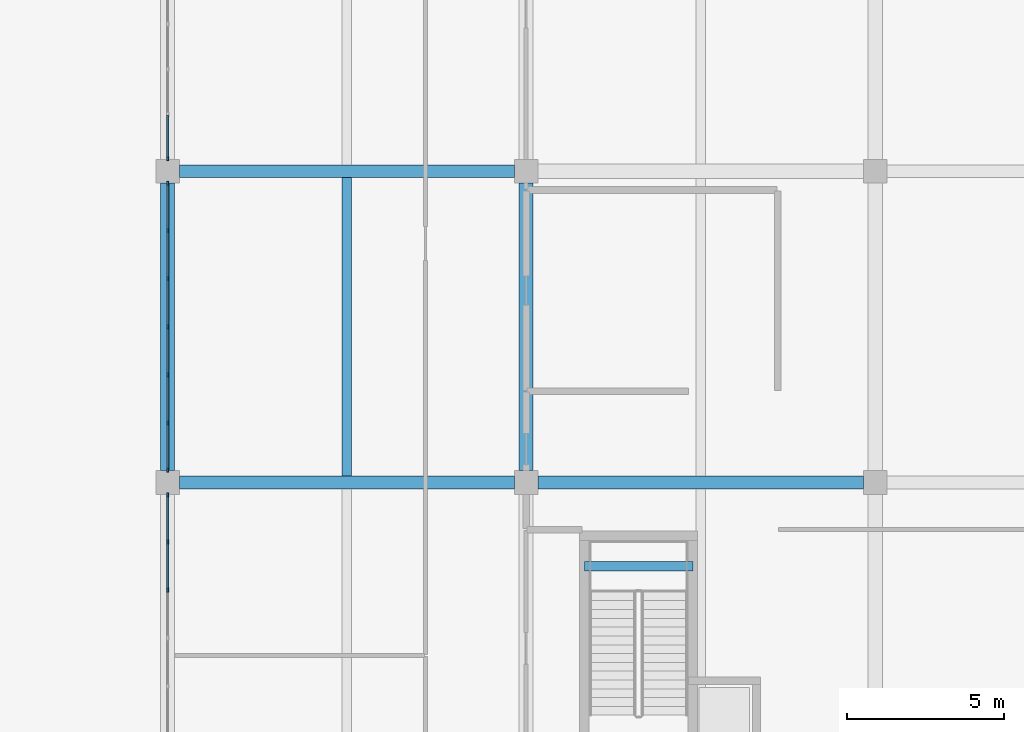
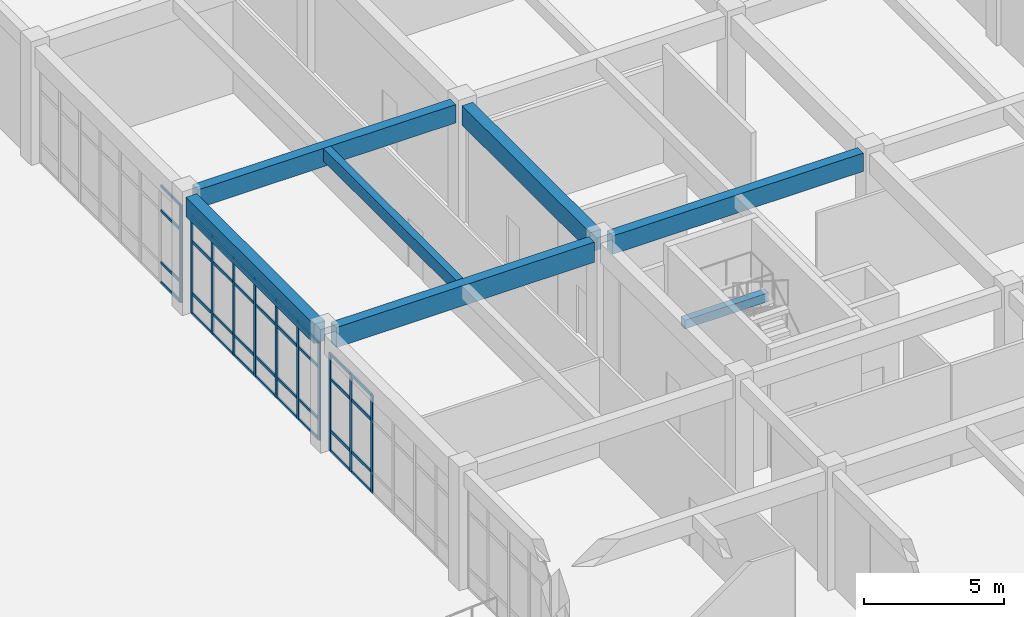
# One storey, part 30 of 70: 47 members, 7 beams, 3 elements without a shape of their own.
"""IFC4 building model written with IfcOpenShell, lengths in metres."""

from ifc_helpers import new_model, si_unit, direction, frame, origin, origin_2d, place, context, subcontext, project, spatial, rectangle, extrude, material, layer, layer_set, material_profile, profile_set, type_object, element, aggregate, save


model = new_model("IFC4")

# Units and contexts
model_context = context("Model", 3, precision=1e-05, world=origin(), true_north=direction((0.0, 1.0)))
body_context = subcontext(model_context, "Body", "Model", "MODEL_VIEW")
ifc_project = project(units=[si_unit("LENGTHUNIT", "METRE"), si_unit("AREAUNIT", "SQUARE_METRE"), si_unit("VOLUMEUNIT", "CUBIC_METRE"), si_unit("PLANEANGLEUNIT", "RADIAN"), si_unit("MASSUNIT", "GRAM", prefix="KILO")], contexts=[model_context])

# Site, building, storey
site_placement = place(None, origin())
site = spatial("IfcSite", under=ifc_project, at=site_placement, CompositionType="ELEMENT")
building_placement = place(site_placement, origin())
building = spatial("IfcBuilding", under=site, at=building_placement, Name="Miralva Faculty of Natural Sciences", CompositionType="ELEMENT")
storey_placement = place(building_placement, origin())
storey = spatial("IfcBuildingStorey", under=building, at=storey_placement, Name="L00", CompositionType="ELEMENT", Elevation=0.0)

# Beams
ifc_material_1 = material(Name="Concrete C40/50", Category="concrete")
ifc_material_profile_1 = material_profile(ifc_material_1, rectangle(XDim=0.449951171875, YDim=0.85009765625, at=origin_2d()), Name="RC 450x850")
ifc_profile_set_1 = profile_set([ifc_material_profile_1], Name="Concrete C40/50")
beam_type_1 = type_object("IfcBeamType", Name="BM-B01", PredefinedType="BEAM", material=ifc_profile_set_1)
for number, where, z_axis, x_axis, name in (
    (1, (133.800048828125, 55.875, 4.695068359375), (0.0, 1.0, 0.0), (-1.0, 0.0, 0.0), "Girder NS L00-180"),
    (2, (145.199951171875, 55.875, 4.695068359375), (0.0, 1.0, 0.0), (-1.0, 0.0, 0.0), "Girder NS L00-192"),
):
    element("IfcBeam", number, at=place(storey_placement, frame(where, z_axis=z_axis, x_axis=x_axis)), inside=storey, type_object=beam_type_1, Name=name, PredefinedType="BEAM", context=body_context, shape_type="SweptSolid", body=[
        extrude(rectangle(XDim=0.449951171875, YDim=0.85009765625, at=origin_2d()), origin(), (0.0, 0.0, 1.0), 9.14990234375),
    ])
ifc_material_profile_2 = material_profile(ifc_material_1, rectangle(XDim=0.39990234375, YDim=0.800048828125, at=origin_2d()), Name="RC 400x800")
ifc_profile_set_2 = profile_set([ifc_material_profile_2], Name="Concrete C40/50")
beam_type_2 = type_object("IfcBeamType", Name="BM-B02", PredefinedType="BEAM", material=ifc_profile_set_2)
beam_1_placement = place(storey_placement, frame((145.574951171875, 55.5, 4.719970703125), z_axis=(1.0, 0.0, 0.0), x_axis=(0.0, 1.0, 0.0)))
element("IfcBeam", 3, at=beam_1_placement, inside=storey, type_object=beam_type_2, Name="Girder EW L00-54", PredefinedType="BEAM", context=body_context, shape_type="SweptSolid", body=[
    extrude(rectangle(XDim=0.39990234375, YDim=0.800048828125, at=origin_2d()), origin(), (0.0, 0.0, 1.0), 10.35009765625),
])
beam_2_placement = place(storey_placement, frame((134.175048828125, 65.39990234375, 4.719970703125), z_axis=(1.0, 0.0, 0.0), x_axis=(0.0, 1.0, 0.0)))
element("IfcBeam", 4, at=beam_2_placement, inside=storey, type_object=beam_type_2, Name="Girder EW L00-58", PredefinedType="BEAM", context=body_context, shape_type="SweptSolid", body=[
    extrude(rectangle(XDim=0.39990234375, YDim=0.800048828125, at=origin_2d()), origin(), (0.0, 0.0, 1.0), 10.64990234375),
])
ifc_material_profile_3 = material_profile(ifc_material_1, rectangle(XDim=0.39990234375, YDim=0.8798828125, at=origin_2d()), Name="RC 400x880")
ifc_profile_set_3 = profile_set([ifc_material_profile_3], Name="Concrete C40/50")
beam_type_3 = type_object("IfcBeamType", Name="BM-BG10", PredefinedType="BEAM", material=ifc_profile_set_3)
beam_3_placement = place(storey_placement, frame((134.175048828125, 55.5, 4.679931640625), z_axis=(1.0, 0.0, 0.0), x_axis=(0.0, 1.0, 0.0)))
element("IfcBeam", 5, at=beam_3_placement, inside=storey, type_object=beam_type_3, Name="Girder EW L00-53", PredefinedType="BEAM", context=body_context, shape_type="SweptSolid", body=[
    extrude(rectangle(XDim=0.39990234375, YDim=0.8798828125, at=origin_2d()), origin(), (0.0, 0.0, 1.0), 10.64990234375),
])
ifc_material_profile_4 = material_profile(ifc_material_1, rectangle(XDim=0.300048828125, YDim=0.550048828125, at=origin_2d()), Name="RC 300x550")
ifc_profile_set_4 = profile_set([ifc_material_profile_4], Name="Concrete C40/50")
beam_type_4 = type_object("IfcBeamType", Name="BM-J02", PredefinedType="JOIST", material=ifc_profile_set_4)
beam_4_placement = place(storey_placement, frame((139.5, 55.699951171875, 4.844970703125), z_axis=(0.0, 1.0, 0.0), x_axis=(-1.0, 0.0, 0.0)))
element("IfcBeam", 6, at=beam_4_placement, inside=storey, type_object=beam_type_4, Name="Floor joist L00-19", PredefinedType="JOIST", context=body_context, shape_type="SweptSolid", body=[
    extrude(rectangle(XDim=0.300048828125, YDim=0.550048828125, at=origin_2d()), origin(), (0.0, 0.0, 1.0), 9.5),
])
ifc_material_profile_5 = material_profile(ifc_material_1, rectangle(XDim=0.300048828125, YDim=0.3798828125, at=origin_2d()), Name="RC 300x380")
ifc_profile_set_5 = profile_set([ifc_material_profile_5], Name="Concrete C40/50")
beam_type_5 = type_object("IfcBeamType", Name="BM-LND01", PredefinedType="BEAM", material=ifc_profile_set_5)
beam_5_placement = place(storey_placement, frame((147.050048828125, 52.8349609375, 2.320068359375), z_axis=(1.0, 0.0, 0.0), x_axis=(0.0, 1.0, 0.0)))
element("IfcBeam", 7, at=beam_5_placement, inside=storey, type_object=beam_type_5, Name="Stair Core C4 half-landing support beam L00", PredefinedType="BEAM", context=body_context, shape_type="SweptSolid", body=[
    extrude(rectangle(XDim=0.300048828125, YDim=0.3798828125, at=origin_2d()), origin(), (0.0, 0.0, 1.0), 3.449951171875),
])

# Curtain wall, members
ifc_material_2 = material(Name="Laminated solar-control glass", Category="glass")
ifc_layer = layer(ifc_material_2, 0.179931640625, Name="CW-COM-L00")
ifc_layer_set = layer_set([ifc_layer], Name="Laminated solar-control glass")
curtain_wall_type = type_object("IfcCurtainWallType", Name="CW-COM-L00", PredefinedType="USERDEFINED", material=ifc_layer_set)
curtain_wall_1_placement = place(storey_placement, origin())
curtain_wall_1 = element("IfcCurtainWall", 8, at=curtain_wall_1_placement, inside=storey, type_object=curtain_wall_type, Name="Curtain wall CW-09 L00-258", ObjectType="UNITISED CURTAIN WALL", PredefinedType="USERDEFINED")
ifc_material_3 = material(Name="Anodised aluminium", Category="aluminium")
ifc_material_profile_6 = material_profile(ifc_material_3, rectangle(XDim=0.06005859375, YDim=0.139892578125, at=origin_2d()), Name="MULLION 60x140")
ifc_profile_set_6 = profile_set([ifc_material_profile_6], Name="Anodised aluminium")
member_type_1 = type_object("IfcMemberType", Name="CW-M03", PredefinedType="MULLION", material=ifc_profile_set_6)
member_1_placement = place(storey_placement, frame((133.800048828125, 52.078369140625, 0.0), z_axis=(0.0, 0.0, 1.0), x_axis=(-1.0, 0.0, 0.0)))
member_1 = element("IfcMember", 9, at=member_1_placement, type_object=member_type_1, Name="CW-09 mullion 5", PredefinedType="MULLION", context=body_context, shape_type="SweptSolid", body=[
    extrude(rectangle(XDim=0.06005859375, YDim=0.139892578125, at=origin_2d()), origin(), (0.0, 0.0, 1.0), 4.264892578125),
])
member_2_placement = place(storey_placement, frame((133.800048828125, 53.606689453125, 0.0), z_axis=(0.0, 0.0, 1.0), x_axis=(-1.0, 0.0, 0.0)))
member_2 = element("IfcMember", 10, at=member_2_placement, type_object=member_type_1, Name="CW-09 mullion 6", PredefinedType="MULLION", context=body_context, shape_type="SweptSolid", body=[
    extrude(rectangle(XDim=0.06005859375, YDim=0.139892578125, at=origin_2d()), origin(), (0.0, 0.0, 1.0), 4.264892578125),
])
member_3_placement = place(storey_placement, frame((133.800048828125, 55.10498046875, 0.0), z_axis=(0.0, 0.0, 1.0), x_axis=(-1.0, 0.0, 0.0)))
member_3 = element("IfcMember", 11, at=member_3_placement, type_object=member_type_1, Name="CW-09 mullion 7", PredefinedType="MULLION", context=body_context, shape_type="SweptSolid", body=[
    extrude(rectangle(XDim=0.06005859375, YDim=0.139892578125, at=origin_2d()), origin(), (0.0, 0.0, 1.0), 4.264892578125),
])

curtain_wall_2_placement = place(storey_placement, origin())
curtain_wall_2 = element("IfcCurtainWall", 12, at=curtain_wall_2_placement, inside=storey, type_object=curtain_wall_type, Name="Curtain wall CW-09 L00-259", ObjectType="UNITISED CURTAIN WALL", PredefinedType="USERDEFINED")
member_4_placement = place(storey_placement, frame((133.800048828125, 55.89501953125, 0.0), z_axis=(0.0, 0.0, 1.0), x_axis=(-1.0, 0.0, 0.0)))
member_4 = element("IfcMember", 13, at=member_4_placement, type_object=member_type_1, Name="CW-09 mullion 1", PredefinedType="MULLION", context=body_context, shape_type="SweptSolid", body=[
    extrude(rectangle(XDim=0.06005859375, YDim=0.139892578125, at=origin_2d()), origin(), (0.0, 0.0, 1.0), 4.264892578125),
])
member_5_placement = place(storey_placement, frame((133.800048828125, 57.393310546875, 0.0), z_axis=(0.0, 0.0, 1.0), x_axis=(-1.0, 0.0, 0.0)))
member_5 = element("IfcMember", 14, at=member_5_placement, type_object=member_type_1, Name="CW-09 mullion 2", PredefinedType="MULLION", context=body_context, shape_type="SweptSolid", body=[
    extrude(rectangle(XDim=0.06005859375, YDim=0.139892578125, at=origin_2d()), origin(), (0.0, 0.0, 1.0), 4.264892578125),
])
member_6_placement = place(storey_placement, frame((133.800048828125, 58.921630859375, 0.0), z_axis=(0.0, 0.0, 1.0), x_axis=(-1.0, 0.0, 0.0)))
member_6 = element("IfcMember", 15, at=member_6_placement, type_object=member_type_1, Name="CW-09 mullion 3", PredefinedType="MULLION", context=body_context, shape_type="SweptSolid", body=[
    extrude(rectangle(XDim=0.06005859375, YDim=0.139892578125, at=origin_2d()), origin(), (0.0, 0.0, 1.0), 4.264892578125),
])
member_7_placement = place(storey_placement, frame((133.800048828125, 60.449951171875, 0.0), z_axis=(0.0, 0.0, 1.0), x_axis=(-1.0, 0.0, 0.0)))
member_7 = element("IfcMember", 16, at=member_7_placement, type_object=member_type_1, Name="CW-09 mullion 4", PredefinedType="MULLION", context=body_context, shape_type="SweptSolid", body=[
    extrude(rectangle(XDim=0.06005859375, YDim=0.139892578125, at=origin_2d()), origin(), (0.0, 0.0, 1.0), 4.264892578125),
])
member_8_placement = place(storey_placement, frame((133.800048828125, 61.978271484375, 0.0), z_axis=(0.0, 0.0, 1.0), x_axis=(-1.0, 0.0, 0.0)))
member_8 = element("IfcMember", 17, at=member_8_placement, type_object=member_type_1, Name="CW-09 mullion 5", PredefinedType="MULLION", context=body_context, shape_type="SweptSolid", body=[
    extrude(rectangle(XDim=0.06005859375, YDim=0.139892578125, at=origin_2d()), origin(), (0.0, 0.0, 1.0), 4.264892578125),
])
member_9_placement = place(storey_placement, frame((133.800048828125, 63.506591796875, 0.0), z_axis=(0.0, 0.0, 1.0), x_axis=(-1.0, 0.0, 0.0)))
member_9 = element("IfcMember", 18, at=member_9_placement, type_object=member_type_1, Name="CW-09 mullion 6", PredefinedType="MULLION", context=body_context, shape_type="SweptSolid", body=[
    extrude(rectangle(XDim=0.06005859375, YDim=0.139892578125, at=origin_2d()), origin(), (0.0, 0.0, 1.0), 4.264892578125),
])
member_10_placement = place(storey_placement, frame((133.800048828125, 65.0048828125, 0.0), z_axis=(0.0, 0.0, 1.0), x_axis=(-1.0, 0.0, 0.0)))
member_10 = element("IfcMember", 19, at=member_10_placement, type_object=member_type_1, Name="CW-09 mullion 7", PredefinedType="MULLION", context=body_context, shape_type="SweptSolid", body=[
    extrude(rectangle(XDim=0.06005859375, YDim=0.139892578125, at=origin_2d()), origin(), (0.0, 0.0, 1.0), 4.264892578125),
])

# Curtain wall, member
curtain_wall_3_placement = place(storey_placement, origin())
curtain_wall_3 = element("IfcCurtainWall", 20, at=curtain_wall_3_placement, inside=storey, type_object=curtain_wall_type, Name="Curtain wall CW-09 L00-260", ObjectType="UNITISED CURTAIN WALL", PredefinedType="USERDEFINED")
member_11_placement = place(storey_placement, frame((133.800048828125, 65.794921875, 0.0), z_axis=(0.0, 0.0, 1.0), x_axis=(-1.0, 0.0, 0.0)))
member_11 = element("IfcMember", 21, at=member_11_placement, type_object=member_type_1, Name="CW-09 mullion 1", PredefinedType="MULLION", context=body_context, shape_type="SweptSolid", body=[
    extrude(rectangle(XDim=0.06005859375, YDim=0.139892578125, at=origin_2d()), origin(), (0.0, 0.0, 1.0), 4.264892578125),
])

# Member
ifc_material_profile_7 = material_profile(ifc_material_3, rectangle(XDim=0.06005859375, YDim=0.1201171875, at=origin_2d()), Name="TRANSOM 60x120")
ifc_profile_set_7 = profile_set([ifc_material_profile_7], Name="Anodised aluminium")
member_type_2 = type_object("IfcMemberType", Name="CW-T02", PredefinedType="USERDEFINED", material=ifc_profile_set_7)
member_12_placement = place(storey_placement, frame((133.800048828125, 52.1083984375, 0.030029296875), z_axis=(0.0, 1.0, 0.0), x_axis=(-1.0, 0.0, 0.0)))
member_12 = element("IfcMember", 22, at=member_12_placement, type_object=member_type_2, Name="CW-09 transom 5.1", ObjectType="TRANSOM", PredefinedType="USERDEFINED", context=body_context, shape_type="SweptSolid", body=[
    extrude(rectangle(XDim=0.06005859375, YDim=0.1201171875, at=origin_2d()), origin(), (0.0, 0.0, 1.0), 1.46826171875),
])

member_13_placement = place(storey_placement, frame((133.800048828125, 52.1083984375, 0.89990234375), z_axis=(0.0, 1.0, 0.0), x_axis=(-1.0, 0.0, 0.0)))
member_13 = element("IfcMember", 23, at=member_13_placement, type_object=member_type_2, Name="CW-09 transom 5.2", ObjectType="TRANSOM", PredefinedType="USERDEFINED", context=body_context, shape_type="SweptSolid", body=[
    extrude(rectangle(XDim=0.06005859375, YDim=0.1201171875, at=origin_2d()), origin(), (0.0, 0.0, 1.0), 1.46826171875),
])

member_14_placement = place(storey_placement, frame((133.800048828125, 52.1083984375, 3.1650390625), z_axis=(0.0, 1.0, 0.0), x_axis=(-1.0, 0.0, 0.0)))
member_14 = element("IfcMember", 24, at=member_14_placement, type_object=member_type_2, Name="CW-09 transom 5.3", ObjectType="TRANSOM", PredefinedType="USERDEFINED", context=body_context, shape_type="SweptSolid", body=[
    extrude(rectangle(XDim=0.06005859375, YDim=0.1201171875, at=origin_2d()), origin(), (0.0, 0.0, 1.0), 1.46826171875),
])

member_15_placement = place(storey_placement, frame((133.800048828125, 52.1083984375, 4.235107421875), z_axis=(0.0, 1.0, 0.0), x_axis=(-1.0, 0.0, 0.0)))
member_15 = element("IfcMember", 25, at=member_15_placement, type_object=member_type_2, Name="CW-09 transom 5.4", ObjectType="TRANSOM", PredefinedType="USERDEFINED", context=body_context, shape_type="SweptSolid", body=[
    extrude(rectangle(XDim=0.06005859375, YDim=0.1201171875, at=origin_2d()), origin(), (0.0, 0.0, 1.0), 1.46826171875),
])

member_16_placement = place(storey_placement, frame((133.800048828125, 53.63671875, 0.030029296875), z_axis=(0.0, 1.0, 0.0), x_axis=(-1.0, 0.0, 0.0)))
member_16 = element("IfcMember", 26, at=member_16_placement, type_object=member_type_2, Name="CW-09 transom 6.1", ObjectType="TRANSOM", PredefinedType="USERDEFINED", context=body_context, shape_type="SweptSolid", body=[
    extrude(rectangle(XDim=0.06005859375, YDim=0.1201171875, at=origin_2d()), origin(), (0.0, 0.0, 1.0), 1.438232421875),
])

member_17_placement = place(storey_placement, frame((133.800048828125, 53.63671875, 0.89990234375), z_axis=(0.0, 1.0, 0.0), x_axis=(-1.0, 0.0, 0.0)))
member_17 = element("IfcMember", 27, at=member_17_placement, type_object=member_type_2, Name="CW-09 transom 6.2", ObjectType="TRANSOM", PredefinedType="USERDEFINED", context=body_context, shape_type="SweptSolid", body=[
    extrude(rectangle(XDim=0.06005859375, YDim=0.1201171875, at=origin_2d()), origin(), (0.0, 0.0, 1.0), 1.438232421875),
])

member_18_placement = place(storey_placement, frame((133.800048828125, 53.63671875, 3.1650390625), z_axis=(0.0, 1.0, 0.0), x_axis=(-1.0, 0.0, 0.0)))
member_18 = element("IfcMember", 28, at=member_18_placement, type_object=member_type_2, Name="CW-09 transom 6.3", ObjectType="TRANSOM", PredefinedType="USERDEFINED", context=body_context, shape_type="SweptSolid", body=[
    extrude(rectangle(XDim=0.06005859375, YDim=0.1201171875, at=origin_2d()), origin(), (0.0, 0.0, 1.0), 1.438232421875),
])

member_19_placement = place(storey_placement, frame((133.800048828125, 53.63671875, 4.235107421875), z_axis=(0.0, 1.0, 0.0), x_axis=(-1.0, 0.0, 0.0)))
member_19 = element("IfcMember", 29, at=member_19_placement, type_object=member_type_2, Name="CW-09 transom 6.4", ObjectType="TRANSOM", PredefinedType="USERDEFINED", context=body_context, shape_type="SweptSolid", body=[
    extrude(rectangle(XDim=0.06005859375, YDim=0.1201171875, at=origin_2d()), origin(), (0.0, 0.0, 1.0), 1.438232421875),
])

aggregate(curtain_wall_1, [member_1, member_2, member_3, member_12, member_13, member_14, member_15, member_16, member_17, member_18, member_19])

member_20_placement = place(storey_placement, frame((133.800048828125, 55.925048828125, 0.030029296875), z_axis=(0.0, 1.0, 0.0), x_axis=(-1.0, 0.0, 0.0)))
member_20 = element("IfcMember", 30, at=member_20_placement, type_object=member_type_2, Name="CW-09 transom 1.1", ObjectType="TRANSOM", PredefinedType="USERDEFINED", context=body_context, shape_type="SweptSolid", body=[
    extrude(rectangle(XDim=0.06005859375, YDim=0.1201171875, at=origin_2d()), origin(), (0.0, 0.0, 1.0), 1.438232421875),
])

member_21_placement = place(storey_placement, frame((133.800048828125, 55.925048828125, 0.89990234375), z_axis=(0.0, 1.0, 0.0), x_axis=(-1.0, 0.0, 0.0)))
member_21 = element("IfcMember", 31, at=member_21_placement, type_object=member_type_2, Name="CW-09 transom 1.2", ObjectType="TRANSOM", PredefinedType="USERDEFINED", context=body_context, shape_type="SweptSolid", body=[
    extrude(rectangle(XDim=0.06005859375, YDim=0.1201171875, at=origin_2d()), origin(), (0.0, 0.0, 1.0), 1.438232421875),
])

member_22_placement = place(storey_placement, frame((133.800048828125, 55.925048828125, 3.1650390625), z_axis=(0.0, 1.0, 0.0), x_axis=(-1.0, 0.0, 0.0)))
member_22 = element("IfcMember", 32, at=member_22_placement, type_object=member_type_2, Name="CW-09 transom 1.3", ObjectType="TRANSOM", PredefinedType="USERDEFINED", context=body_context, shape_type="SweptSolid", body=[
    extrude(rectangle(XDim=0.06005859375, YDim=0.1201171875, at=origin_2d()), origin(), (0.0, 0.0, 1.0), 1.438232421875),
])

member_23_placement = place(storey_placement, frame((133.800048828125, 55.925048828125, 4.235107421875), z_axis=(0.0, 1.0, 0.0), x_axis=(-1.0, 0.0, 0.0)))
member_23 = element("IfcMember", 33, at=member_23_placement, type_object=member_type_2, Name="CW-09 transom 1.4", ObjectType="TRANSOM", PredefinedType="USERDEFINED", context=body_context, shape_type="SweptSolid", body=[
    extrude(rectangle(XDim=0.06005859375, YDim=0.1201171875, at=origin_2d()), origin(), (0.0, 0.0, 1.0), 1.438232421875),
])

member_24_placement = place(storey_placement, frame((133.800048828125, 57.42333984375, 0.030029296875), z_axis=(0.0, 1.0, 0.0), x_axis=(-1.0, 0.0, 0.0)))
member_24 = element("IfcMember", 34, at=member_24_placement, type_object=member_type_2, Name="CW-09 transom 2.1", ObjectType="TRANSOM", PredefinedType="USERDEFINED", context=body_context, shape_type="SweptSolid", body=[
    extrude(rectangle(XDim=0.06005859375, YDim=0.1201171875, at=origin_2d()), origin(), (0.0, 0.0, 1.0), 1.46826171875),
])

member_25_placement = place(storey_placement, frame((133.800048828125, 57.42333984375, 0.89990234375), z_axis=(0.0, 1.0, 0.0), x_axis=(-1.0, 0.0, 0.0)))
member_25 = element("IfcMember", 35, at=member_25_placement, type_object=member_type_2, Name="CW-09 transom 2.2", ObjectType="TRANSOM", PredefinedType="USERDEFINED", context=body_context, shape_type="SweptSolid", body=[
    extrude(rectangle(XDim=0.06005859375, YDim=0.1201171875, at=origin_2d()), origin(), (0.0, 0.0, 1.0), 1.46826171875),
])

member_26_placement = place(storey_placement, frame((133.800048828125, 57.42333984375, 3.1650390625), z_axis=(0.0, 1.0, 0.0), x_axis=(-1.0, 0.0, 0.0)))
member_26 = element("IfcMember", 36, at=member_26_placement, type_object=member_type_2, Name="CW-09 transom 2.3", ObjectType="TRANSOM", PredefinedType="USERDEFINED", context=body_context, shape_type="SweptSolid", body=[
    extrude(rectangle(XDim=0.06005859375, YDim=0.1201171875, at=origin_2d()), origin(), (0.0, 0.0, 1.0), 1.46826171875),
])

member_27_placement = place(storey_placement, frame((133.800048828125, 57.42333984375, 4.235107421875), z_axis=(0.0, 1.0, 0.0), x_axis=(-1.0, 0.0, 0.0)))
member_27 = element("IfcMember", 37, at=member_27_placement, type_object=member_type_2, Name="CW-09 transom 2.4", ObjectType="TRANSOM", PredefinedType="USERDEFINED", context=body_context, shape_type="SweptSolid", body=[
    extrude(rectangle(XDim=0.06005859375, YDim=0.1201171875, at=origin_2d()), origin(), (0.0, 0.0, 1.0), 1.46826171875),
])

member_28_placement = place(storey_placement, frame((133.800048828125, 58.95166015625, 0.030029296875), z_axis=(0.0, 1.0, 0.0), x_axis=(-1.0, 0.0, 0.0)))
member_28 = element("IfcMember", 38, at=member_28_placement, type_object=member_type_2, Name="CW-09 transom 3.1", ObjectType="TRANSOM", PredefinedType="USERDEFINED", context=body_context, shape_type="SweptSolid", body=[
    extrude(rectangle(XDim=0.06005859375, YDim=0.1201171875, at=origin_2d()), origin(), (0.0, 0.0, 1.0), 1.46826171875),
])

member_29_placement = place(storey_placement, frame((133.800048828125, 58.95166015625, 0.89990234375), z_axis=(0.0, 1.0, 0.0), x_axis=(-1.0, 0.0, 0.0)))
member_29 = element("IfcMember", 39, at=member_29_placement, type_object=member_type_2, Name="CW-09 transom 3.2", ObjectType="TRANSOM", PredefinedType="USERDEFINED", context=body_context, shape_type="SweptSolid", body=[
    extrude(rectangle(XDim=0.06005859375, YDim=0.1201171875, at=origin_2d()), origin(), (0.0, 0.0, 1.0), 1.46826171875),
])

member_30_placement = place(storey_placement, frame((133.800048828125, 58.95166015625, 3.1650390625), z_axis=(0.0, 1.0, 0.0), x_axis=(-1.0, 0.0, 0.0)))
member_30 = element("IfcMember", 40, at=member_30_placement, type_object=member_type_2, Name="CW-09 transom 3.3", ObjectType="TRANSOM", PredefinedType="USERDEFINED", context=body_context, shape_type="SweptSolid", body=[
    extrude(rectangle(XDim=0.06005859375, YDim=0.1201171875, at=origin_2d()), origin(), (0.0, 0.0, 1.0), 1.46826171875),
])

member_31_placement = place(storey_placement, frame((133.800048828125, 58.95166015625, 4.235107421875), z_axis=(0.0, 1.0, 0.0), x_axis=(-1.0, 0.0, 0.0)))
member_31 = element("IfcMember", 41, at=member_31_placement, type_object=member_type_2, Name="CW-09 transom 3.4", ObjectType="TRANSOM", PredefinedType="USERDEFINED", context=body_context, shape_type="SweptSolid", body=[
    extrude(rectangle(XDim=0.06005859375, YDim=0.1201171875, at=origin_2d()), origin(), (0.0, 0.0, 1.0), 1.46826171875),
])

member_32_placement = place(storey_placement, frame((133.800048828125, 60.47998046875, 0.030029296875), z_axis=(0.0, 1.0, 0.0), x_axis=(-1.0, 0.0, 0.0)))
member_32 = element("IfcMember", 42, at=member_32_placement, type_object=member_type_2, Name="CW-09 transom 4.1", ObjectType="TRANSOM", PredefinedType="USERDEFINED", context=body_context, shape_type="SweptSolid", body=[
    extrude(rectangle(XDim=0.06005859375, YDim=0.1201171875, at=origin_2d()), origin(), (0.0, 0.0, 1.0), 1.46826171875),
])

member_33_placement = place(storey_placement, frame((133.800048828125, 60.47998046875, 0.89990234375), z_axis=(0.0, 1.0, 0.0), x_axis=(-1.0, 0.0, 0.0)))
member_33 = element("IfcMember", 43, at=member_33_placement, type_object=member_type_2, Name="CW-09 transom 4.2", ObjectType="TRANSOM", PredefinedType="USERDEFINED", context=body_context, shape_type="SweptSolid", body=[
    extrude(rectangle(XDim=0.06005859375, YDim=0.1201171875, at=origin_2d()), origin(), (0.0, 0.0, 1.0), 1.46826171875),
])

member_34_placement = place(storey_placement, frame((133.800048828125, 60.47998046875, 3.1650390625), z_axis=(0.0, 1.0, 0.0), x_axis=(-1.0, 0.0, 0.0)))
member_34 = element("IfcMember", 44, at=member_34_placement, type_object=member_type_2, Name="CW-09 transom 4.3", ObjectType="TRANSOM", PredefinedType="USERDEFINED", context=body_context, shape_type="SweptSolid", body=[
    extrude(rectangle(XDim=0.06005859375, YDim=0.1201171875, at=origin_2d()), origin(), (0.0, 0.0, 1.0), 1.46826171875),
])

member_35_placement = place(storey_placement, frame((133.800048828125, 60.47998046875, 4.235107421875), z_axis=(0.0, 1.0, 0.0), x_axis=(-1.0, 0.0, 0.0)))
member_35 = element("IfcMember", 45, at=member_35_placement, type_object=member_type_2, Name="CW-09 transom 4.4", ObjectType="TRANSOM", PredefinedType="USERDEFINED", context=body_context, shape_type="SweptSolid", body=[
    extrude(rectangle(XDim=0.06005859375, YDim=0.1201171875, at=origin_2d()), origin(), (0.0, 0.0, 1.0), 1.46826171875),
])

member_36_placement = place(storey_placement, frame((133.800048828125, 62.00830078125, 0.030029296875), z_axis=(0.0, 1.0, 0.0), x_axis=(-1.0, 0.0, 0.0)))
member_36 = element("IfcMember", 46, at=member_36_placement, type_object=member_type_2, Name="CW-09 transom 5.1", ObjectType="TRANSOM", PredefinedType="USERDEFINED", context=body_context, shape_type="SweptSolid", body=[
    extrude(rectangle(XDim=0.06005859375, YDim=0.1201171875, at=origin_2d()), origin(), (0.0, 0.0, 1.0), 1.46826171875),
])

member_37_placement = place(storey_placement, frame((133.800048828125, 62.00830078125, 0.89990234375), z_axis=(0.0, 1.0, 0.0), x_axis=(-1.0, 0.0, 0.0)))
member_37 = element("IfcMember", 47, at=member_37_placement, type_object=member_type_2, Name="CW-09 transom 5.2", ObjectType="TRANSOM", PredefinedType="USERDEFINED", context=body_context, shape_type="SweptSolid", body=[
    extrude(rectangle(XDim=0.06005859375, YDim=0.1201171875, at=origin_2d()), origin(), (0.0, 0.0, 1.0), 1.46826171875),
])

member_38_placement = place(storey_placement, frame((133.800048828125, 62.00830078125, 3.1650390625), z_axis=(0.0, 1.0, 0.0), x_axis=(-1.0, 0.0, 0.0)))
member_38 = element("IfcMember", 48, at=member_38_placement, type_object=member_type_2, Name="CW-09 transom 5.3", ObjectType="TRANSOM", PredefinedType="USERDEFINED", context=body_context, shape_type="SweptSolid", body=[
    extrude(rectangle(XDim=0.06005859375, YDim=0.1201171875, at=origin_2d()), origin(), (0.0, 0.0, 1.0), 1.46826171875),
])

member_39_placement = place(storey_placement, frame((133.800048828125, 62.00830078125, 4.235107421875), z_axis=(0.0, 1.0, 0.0), x_axis=(-1.0, 0.0, 0.0)))
member_39 = element("IfcMember", 49, at=member_39_placement, type_object=member_type_2, Name="CW-09 transom 5.4", ObjectType="TRANSOM", PredefinedType="USERDEFINED", context=body_context, shape_type="SweptSolid", body=[
    extrude(rectangle(XDim=0.06005859375, YDim=0.1201171875, at=origin_2d()), origin(), (0.0, 0.0, 1.0), 1.46826171875),
])

member_40_placement = place(storey_placement, frame((133.800048828125, 63.53662109375, 0.030029296875), z_axis=(0.0, 1.0, 0.0), x_axis=(-1.0, 0.0, 0.0)))
member_40 = element("IfcMember", 50, at=member_40_placement, type_object=member_type_2, Name="CW-09 transom 6.1", ObjectType="TRANSOM", PredefinedType="USERDEFINED", context=body_context, shape_type="SweptSolid", body=[
    extrude(rectangle(XDim=0.06005859375, YDim=0.1201171875, at=origin_2d()), origin(), (0.0, 0.0, 1.0), 1.4384765625),
])

member_41_placement = place(storey_placement, frame((133.800048828125, 63.53662109375, 0.89990234375), z_axis=(0.0, 1.0, 0.0), x_axis=(-1.0, 0.0, 0.0)))
member_41 = element("IfcMember", 51, at=member_41_placement, type_object=member_type_2, Name="CW-09 transom 6.2", ObjectType="TRANSOM", PredefinedType="USERDEFINED", context=body_context, shape_type="SweptSolid", body=[
    extrude(rectangle(XDim=0.06005859375, YDim=0.1201171875, at=origin_2d()), origin(), (0.0, 0.0, 1.0), 1.4384765625),
])

member_42_placement = place(storey_placement, frame((133.800048828125, 63.53662109375, 3.1650390625), z_axis=(0.0, 1.0, 0.0), x_axis=(-1.0, 0.0, 0.0)))
member_42 = element("IfcMember", 52, at=member_42_placement, type_object=member_type_2, Name="CW-09 transom 6.3", ObjectType="TRANSOM", PredefinedType="USERDEFINED", context=body_context, shape_type="SweptSolid", body=[
    extrude(rectangle(XDim=0.06005859375, YDim=0.1201171875, at=origin_2d()), origin(), (0.0, 0.0, 1.0), 1.4384765625),
])

member_43_placement = place(storey_placement, frame((133.800048828125, 63.53662109375, 4.235107421875), z_axis=(0.0, 1.0, 0.0), x_axis=(-1.0, 0.0, 0.0)))
member_43 = element("IfcMember", 53, at=member_43_placement, type_object=member_type_2, Name="CW-09 transom 6.4", ObjectType="TRANSOM", PredefinedType="USERDEFINED", context=body_context, shape_type="SweptSolid", body=[
    extrude(rectangle(XDim=0.06005859375, YDim=0.1201171875, at=origin_2d()), origin(), (0.0, 0.0, 1.0), 1.4384765625),
])

aggregate(curtain_wall_2, [member_4, member_5, member_6, member_7, member_8, member_9, member_10, member_20, member_21, member_22, member_23, member_24, member_25, member_26, member_27, member_28, member_29, member_30, member_31, member_32, member_33, member_34, member_35, member_36, member_37, member_38, member_39, member_40, member_41, member_42, member_43])

member_44_placement = place(storey_placement, frame((133.800048828125, 65.824951171875, 0.030029296875), z_axis=(0.0, 1.0, 0.0), x_axis=(-1.0, 0.0, 0.0)))
member_44 = element("IfcMember", 54, at=member_44_placement, type_object=member_type_2, Name="CW-09 transom 1.1", ObjectType="TRANSOM", PredefinedType="USERDEFINED", context=body_context, shape_type="SweptSolid", body=[
    extrude(rectangle(XDim=0.06005859375, YDim=0.1201171875, at=origin_2d()), origin(), (0.0, 0.0, 1.0), 1.3486328125),
])

member_45_placement = place(storey_placement, frame((133.800048828125, 65.824951171875, 0.89990234375), z_axis=(0.0, 1.0, 0.0), x_axis=(-1.0, 0.0, 0.0)))
member_45 = element("IfcMember", 55, at=member_45_placement, type_object=member_type_2, Name="CW-09 transom 1.2", ObjectType="TRANSOM", PredefinedType="USERDEFINED", context=body_context, shape_type="SweptSolid", body=[
    extrude(rectangle(XDim=0.06005859375, YDim=0.1201171875, at=origin_2d()), origin(), (0.0, 0.0, 1.0), 1.3486328125),
])

member_46_placement = place(storey_placement, frame((133.800048828125, 65.824951171875, 3.1650390625), z_axis=(0.0, 1.0, 0.0), x_axis=(-1.0, 0.0, 0.0)))
member_46 = element("IfcMember", 56, at=member_46_placement, type_object=member_type_2, Name="CW-09 transom 1.3", ObjectType="TRANSOM", PredefinedType="USERDEFINED", context=body_context, shape_type="SweptSolid", body=[
    extrude(rectangle(XDim=0.06005859375, YDim=0.1201171875, at=origin_2d()), origin(), (0.0, 0.0, 1.0), 1.3486328125),
])

member_47_placement = place(storey_placement, frame((133.800048828125, 65.824951171875, 4.235107421875), z_axis=(0.0, 1.0, 0.0), x_axis=(-1.0, 0.0, 0.0)))
member_47 = element("IfcMember", 57, at=member_47_placement, type_object=member_type_2, Name="CW-09 transom 1.4", ObjectType="TRANSOM", PredefinedType="USERDEFINED", context=body_context, shape_type="SweptSolid", body=[
    extrude(rectangle(XDim=0.06005859375, YDim=0.1201171875, at=origin_2d()), origin(), (0.0, 0.0, 1.0), 1.3486328125),
])

aggregate(curtain_wall_3, [member_11, member_44, member_45, member_46, member_47])

save(model, "model.ifc")
